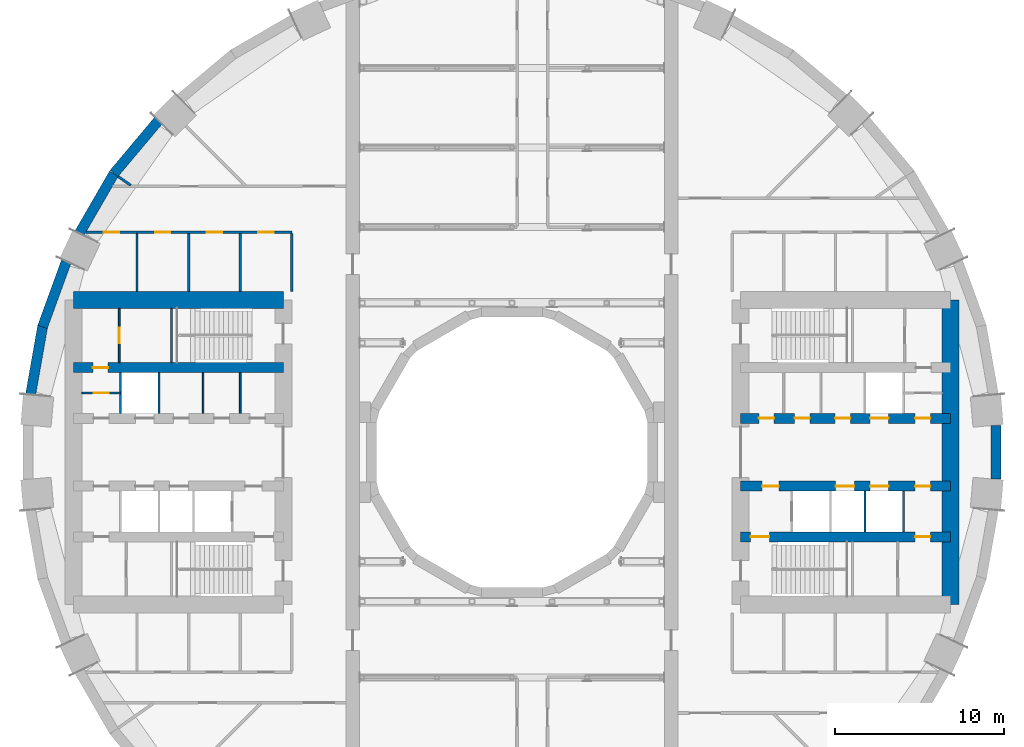
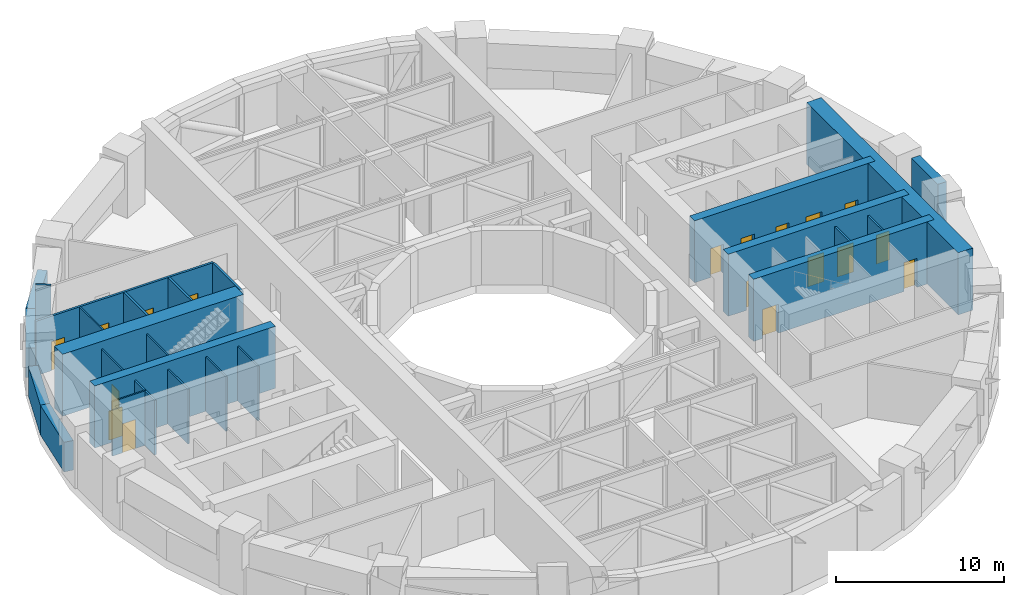
# One storey, part 16 of 21: 26 walls, 18 doors, 18 openings.
"""IFC4 building model written with IfcOpenShell, lengths in metres."""

from ifc_helpers import new_model, si_unit, direction, frame, frame_2d, origin, place, context, subcontext, project, spatial, rectangle, extrude, material, layer, layer_set, type_object, element, fill, save


model = new_model("IFC4")

# Units and contexts
model_context = context("Model", 3, precision=1e-05, world=origin(), true_north=direction((0.0, 1.0)))
body_context = subcontext(model_context, "Body", "Model", "MODEL_VIEW")
ifc_project = project(units=[si_unit("LENGTHUNIT", "METRE"), si_unit("AREAUNIT", "SQUARE_METRE"), si_unit("VOLUMEUNIT", "CUBIC_METRE"), si_unit("PLANEANGLEUNIT", "RADIAN"), si_unit("MASSUNIT", "GRAM", prefix="KILO")], contexts=[model_context])

# Site, building, storey
site_placement = place(None, origin())
site = spatial("IfcSite", under=ifc_project, at=site_placement, CompositionType="ELEMENT")
building_placement = place(site_placement, origin())
building = spatial("IfcBuilding", under=site, at=building_placement, Name="Saqina Gate Tower", CompositionType="ELEMENT")
storey_placement = place(building_placement, frame((0.0, 0.0, 21.800048828125)))
storey = spatial("IfcBuildingStorey", under=building, at=storey_placement, Name="L05", CompositionType="ELEMENT", Elevation=21.800048828125)

# Walls
ifc_material_1 = material(Name="Gypsum board on steel studs", Category="steel")
ifc_layer_1 = layer(ifc_material_1, 0.10009765625)
ifc_layer_set_1 = layer_set([ifc_layer_1], Name="CORE PARTITION")
wall_type_1 = type_object("IfcWallType", Name="CORE PARTITION", PredefinedType="PARTITIONING", material=ifc_layer_set_1)
for number, where, z_axis, x_axis, name in (
    (1, (-16.052001953125, 2.300048828125, 0.0), (0.0, 0.0, 1.0), (0.0, 1.0, 0.0), "L05-CP-W01"),
    (2, (-18.24072265625, 2.300048828125, 0.0), (0.0, 0.0, 1.0), (0.0, 1.0, 0.0), "L05-CP-W02"),
):
    element("IfcWall", number, at=place(storey_placement, frame(where, z_axis=z_axis, x_axis=x_axis)), inside=storey, type_object=wall_type_1, Name=name, PredefinedType="PARTITIONING", context=body_context, shape_type="SweptSolid", body=[
        extrude(rectangle(XDim=2.39990234375, YDim=0.10009765625, at=frame_2d((1.199951171875, 0.0))), origin(), (0.0, 0.0, 1.0), 3.949951171875),
    ])

# Wall, opening, door
wall_1_placement = place(storey_placement, frame((-23.1201171875, 3.5, 0.0), z_axis=(0.0, 0.0, 1.0), x_axis=(-1.0, 0.0, 0.0)))
wall_1 = element("IfcWall", 3, at=wall_1_placement, inside=storey, type_object=wall_type_1, Name="L05-CP-W09", PredefinedType="PARTITIONING", context=body_context, shape_type="SweptSolid", body=[
    extrude(rectangle(XDim=2.27978515625, YDim=0.10009765625, at=frame_2d((1.139892578125, 0.0))), origin(), (0.0, 0.0, 1.0), 3.949951171875),
])
opening_1_placement = place(wall_1_placement, frame((0.68994140625, 0.0, 0.0)))
opening_1 = element("IfcOpeningElement", 4, at=opening_1_placement, cuts=wall_1, Name="Opening L05-D111", PredefinedType="OPENING", context=body_context, shape_type="SweptSolid", body=[
    extrude(rectangle(XDim=0.89990234375, YDim=2.10009765625, at=frame_2d((0.449951171875, 1.050048828125))), frame((0.0, 0.06201171875, 0.0), z_axis=(0.0, -1.0, 0.0), x_axis=(1.0, 0.0, 0.0)), (0.0, 0.0, 1.0), 0.1240234375),
])
ifc_material_2 = material(Name="Steel-framed fire door leaf, EI 60", Category="steel")
door_type_1 = type_object("IfcDoorType", Name="SERVICE ROOM DOOR 900", OperationType="SINGLE_SWING_LEFT", PredefinedType="DOOR", material=ifc_material_2)
door_1_placement = place(opening_1_placement, frame((0.89990234375, 0.0, 0.0), z_axis=(0.0, 0.0, 1.0), x_axis=(-1.0, 0.0, 0.0)))
door_1 = element("IfcDoor", 5, at=door_1_placement, inside=storey, type_object=door_type_1, Name="L05-CD-W22", OperationType="SINGLE_SWING_LEFT", OverallHeight=2.10009765625, OverallWidth=0.89990234375, PredefinedType="DOOR", context=body_context, shape_type="SweptSolid", body=[
    extrude(rectangle(XDim=0.89990234375, YDim=2.10009765625, at=frame_2d((0.449951171875, 1.050048828125))), frame((0.0, 0.02490234375, 0.0), z_axis=(0.0, -1.0, 0.0), x_axis=(1.0, 0.0, 0.0)), (0.0, 0.0, 1.0), 0.050048828125),
])
fill(opening_1, door_1)

wall_2_placement = place(storey_placement, frame((-23.19921875, 5.300048828125, 0.0), z_axis=(0.0, 0.0, 1.0), x_axis=(0.0, 1.0, 0.0)))
wall_2 = element("IfcWall", 6, at=wall_2_placement, inside=storey, type_object=wall_type_1, Name="L05-CP-W11", PredefinedType="PARTITIONING", context=body_context, shape_type="SweptSolid", body=[
    extrude(rectangle(XDim=3.199951171875, YDim=0.10009765625, at=frame_2d((1.60009765625, 0.0))), origin(), (0.0, 0.0, 1.0), 3.949951171875),
])
opening_2_placement = place(wall_2_placement, frame((1.14990234375, 0.0, 0.0)))
opening_2 = element("IfcOpeningElement", 7, at=opening_2_placement, cuts=wall_2, Name="Opening L05-D112", PredefinedType="OPENING", context=body_context, shape_type="SweptSolid", body=[
    extrude(rectangle(XDim=0.89990234375, YDim=2.10009765625, at=frame_2d((0.449951171875, 1.050048828125))), frame((0.0, 0.06201171875, 0.0), z_axis=(0.0, -1.0, 0.0), x_axis=(1.0, 0.0, 0.0)), (0.0, 0.0, 1.0), 0.1240234375),
])
door_2_placement = place(opening_2_placement, frame((0.89990234375, 0.0, 0.0), z_axis=(0.0, 0.0, 1.0), x_axis=(-1.0, 0.0, 0.0)))
door_2 = element("IfcDoor", 8, at=door_2_placement, inside=storey, type_object=door_type_1, Name="L05-CD-W23", OperationType="SINGLE_SWING_RIGHT", OverallHeight=2.10009765625, OverallWidth=0.89990234375, PredefinedType="DOOR", context=body_context, shape_type="SweptSolid", body=[
    extrude(rectangle(XDim=0.89990234375, YDim=2.10009765625, at=frame_2d((0.449951171875, 1.050048828125))), frame((0.0, 0.02490234375, 0.0), z_axis=(0.0, -1.0, 0.0), x_axis=(1.0, 0.0, 0.0)), (0.0, 0.0, 1.0), 0.050048828125),
])
fill(opening_2, door_2)

# Walls
ifc_material_3 = material(Name="Brick masonry (red)", Category="masonry")
ifc_layer_2 = layer(ifc_material_3, 0.60009765625)
ifc_layer_set_2 = layer_set([ifc_layer_2], Name="FW-BRICK-RED")
wall_type_2 = type_object("IfcWallType", Name="FW-BRICK-RED", PredefinedType="SOLIDWALL", material=ifc_layer_set_2)
wall_3_placement = place(storey_placement, frame((-20.890625, 19.5810546875, 0.0), z_axis=(0.0, 0.0, 1.0), x_axis=(-0.642800844336, -0.766033337734, 0.0)))
element("IfcWall", 9, at=wall_3_placement, inside=storey, type_object=wall_type_2, Name="Facade wall L05 facet 14", PredefinedType="SOLIDWALL", context=body_context, shape_type="SweptSolid", body=[
    extrude(rectangle(XDim=4.0693359375, YDim=0.60009765625, at=frame_2d((2.03466796875, 0.0))), origin(), (0.0, 0.0, 1.0), 2.14990234375),
])
wall_4_placement = place(storey_placement, frame((-23.510498046875, 16.457763671875, 0.0), z_axis=(0.0, 0.0, 1.0), x_axis=(-0.500023678693, -0.866011732453, 0.0)))
element("IfcWall", 10, at=wall_4_placement, inside=storey, type_object=wall_type_2, Name="Facade wall L05 facet 15", PredefinedType="SOLIDWALL", context=body_context, shape_type="SweptSolid", body=[
    extrude(rectangle(XDim=4.069091796875, YDim=0.60009765625, at=frame_2d((2.03466796875, 0.0))), origin(), (0.0, 0.0, 1.0), 2.14990234375),
])
ifc_material_4 = material(Name="Glazed ceramic tile", Category="ceramic")
ifc_layer_3 = layer(ifc_material_4, 0.60009765625)
ifc_layer_set_3 = layer_set([ifc_layer_3], Name="FW-TILE")
wall_type_3 = type_object("IfcWallType", Name="FW-TILE", PredefinedType="SOLIDWALL", material=ifc_layer_set_3)
wall_5_placement = place(storey_placement, frame((-26.327880859375, 11.255126953125, 0.0), z_axis=(0.0, 0.0, 1.0), x_axis=(-0.342034744565, -0.939687306241, 0.0)))
element("IfcWall", 11, at=wall_5_placement, inside=storey, type_object=wall_type_3, Name="Facade wall L05 facet 16", PredefinedType="SOLIDWALL", context=body_context, shape_type="SweptSolid", body=[
    extrude(rectangle(XDim=4.099365234375, YDim=0.60009765625, at=frame_2d((2.0498046875, 0.0))), origin(), (0.0, 0.0, 1.0), 2.14990234375),
])
wall_6_placement = place(storey_placement, frame((28.589599609375, -1.571533203125, 0.0), z_axis=(0.0, 0.0, 1.0), x_axis=(0.0, 1.0, 0.0)))
element("IfcWall", 12, at=wall_6_placement, inside=storey, type_object=wall_type_3, Name="Facade wall L05 facet 36", PredefinedType="SOLIDWALL", context=body_context, shape_type="SweptSolid", body=[
    extrude(rectangle(XDim=3.14306640625, YDim=0.60009765625, at=frame_2d((1.571533203125, 0.0))), origin(), (0.0, 0.0, 1.0), 3.949951171875),
])
ifc_material_5 = material(Name="Glazed ceramic tile (dark blue)", Category="ceramic")
ifc_layer_4 = layer(ifc_material_5, 0.60009765625)
ifc_layer_set_4 = layer_set([ifc_layer_4], Name="FW-TILE-CB")
wall_type_4 = type_object("IfcWallType", Name="FW-TILE-CB", PredefinedType="SOLIDWALL", material=ifc_layer_set_4)
wall_7_placement = place(storey_placement, frame((-27.71630859375, 7.45361328125, 0.0), z_axis=(0.0, 0.0, 1.0), x_axis=(-0.173673210505, -0.984803338719, 0.0)))
element("IfcWall", 13, at=wall_7_placement, inside=storey, type_object=wall_type_4, Name="Facade wall L05 facet 17", PredefinedType="SOLIDWALL", context=body_context, shape_type="SweptSolid", body=[
    extrude(rectangle(XDim=4.09912109375, YDim=0.60009765625, at=frame_2d((2.049560546875, 0.0))), origin(), (0.0, 0.0, 1.0), 2.14990234375),
])
ifc_material_6 = material(Name="Autoclaved aerated concrete block", Category="concrete")
ifc_layer_5 = layer(ifc_material_6, 0.1201171875)
ifc_layer_set_5 = layer_set([ifc_layer_5], Name="SHAFT PARTITION")
wall_type_5 = type_object("IfcWallType", Name="SHAFT PARTITION", PredefinedType="PARTITIONING", material=ifc_layer_set_5)
for number, where, z_axis, x_axis, name in (
    (14, (20.840087890625, -4.699951171875, 0.0), (0.0, 0.0, 1.0), (0.0, 1.0, 0.0), "L05-CP-E07"),
    (15, (23.1201171875, -4.699951171875, 0.0), (0.0, 0.0, 1.0), (0.0, 1.0, 0.0), "L05-CP-E08"),
    (16, (-20.840087890625, 2.300048828125, 0.0), (0.0, 0.0, 1.0), (0.0, 1.0, 0.0), "L05-CP-W03"),
    (17, (-23.1201171875, 2.300048828125, 0.0), (0.0, 0.0, 1.0), (0.0, 1.0, 0.0), "L05-CP-W04"),
):
    element("IfcWall", number, at=place(storey_placement, frame(where, z_axis=z_axis, x_axis=x_axis)), inside=storey, type_object=wall_type_5, Name=name, PredefinedType="PARTITIONING", context=body_context, shape_type="SweptSolid", body=[
        extrude(rectangle(XDim=2.39990234375, YDim=0.1201171875, at=frame_2d((1.199951171875, 0.0))), origin(), (0.0, 0.0, 1.0), 3.949951171875),
    ])
ifc_material_7 = material(Name="Gypsum board on steel studs, 100 mm", Category="steel")
ifc_layer_6 = layer(ifc_material_7, 0.10009765625)
ifc_layer_set_6 = layer_set([ifc_layer_6], Name="SPECIAL PARTITION 100")
wall_type_6 = type_object("IfcWallType", Name="SPECIAL PARTITION 100", PredefinedType="PARTITIONING", material=ifc_layer_set_6)
wall_8_placement = place(storey_placement, frame((-22.14990234375, 9.5, 0.0), z_axis=(0.0, 0.0, 1.0), x_axis=(0.0, 1.0, 0.0)))
element("IfcWall", 18, at=wall_8_placement, inside=storey, type_object=wall_type_6, Name="PARTITION 050", PredefinedType="PARTITIONING", context=body_context, shape_type="SweptSolid", body=[
    extrude(rectangle(XDim=3.425048828125, YDim=0.10009765625, at=frame_2d((1.71240234375, 0.0))), origin(), (0.0, 0.0, 1.0), 3.949951171875),
])
ifc_material_8 = material(Name="Masonry block and plaster, 150 mm, fire rated", Category="masonry")
ifc_layer_7 = layer(ifc_material_8, 0.14990234375)
ifc_layer_set_7 = layer_set([ifc_layer_7], Name="SPECIAL PARTITION EI 60 150")
wall_type_7 = type_object("IfcWallType", Name="SPECIAL PARTITION EI 60 150", PredefinedType="PARTITIONING", material=ifc_layer_set_7)
wall_9_placement = place(storey_placement, frame((-23.261962890625, 16.2880859375, 0.0), z_axis=(0.0, 0.0, 1.0), x_axis=(0.819168929577, -0.573552320905, 0.0)))
element("IfcWall", 19, at=wall_9_placement, inside=storey, type_object=wall_type_7, Name="PARTITION 004", PredefinedType="PARTITIONING", context=body_context, shape_type="SweptSolid", body=[
    extrude(rectangle(XDim=0.910400390625, YDim=0.14990234375, at=frame_2d((0.455078125, 0.0))), origin(), (0.0, 0.0, 1.0), 3.949951171875),
])

# Wall, openings, doors
wall_10_placement = place(storey_placement, frame((-25.159912109375, 13.0, 0.0), z_axis=(0.0, 0.0, 1.0), x_axis=(1.0, 0.0, 0.0)))
wall_10 = element("IfcWall", 20, at=wall_10_placement, inside=storey, type_object=wall_type_7, Name="PARTITION 017", PredefinedType="PARTITIONING", context=body_context, shape_type="SweptSolid", body=[
    extrude(rectangle(XDim=12.159912109375, YDim=0.14990234375, at=frame_2d((6.080078125, 0.0))), origin(), (0.0, 0.0, 1.0), 3.949951171875),
])
opening_3_placement = place(wall_10_placement, frame((10.18505859375, 0.0, 0.0)))
opening_3 = element("IfcOpeningElement", 21, at=opening_3_placement, cuts=wall_10, Name="Opening L05-D14", PredefinedType="OPENING", context=body_context, shape_type="SweptSolid", body=[
    extrude(rectangle(XDim=0.89990234375, YDim=2.10009765625, at=frame_2d((0.449951171875, 1.050048828125))), frame((0.0, 0.0869140625, 0.0), z_axis=(0.0, -1.0, 0.0), x_axis=(1.0, 0.0, 0.0)), (0.0, 0.0, 1.0), 0.173828125),
])
opening_4_placement = place(wall_10_placement, frame((7.135009765625, 0.0, 0.0)))
opening_4 = element("IfcOpeningElement", 22, at=opening_4_placement, cuts=wall_10, Name="Opening L05-D16", PredefinedType="OPENING", context=body_context, shape_type="SweptSolid", body=[
    extrude(rectangle(XDim=0.89990234375, YDim=2.10009765625, at=frame_2d((0.449951171875, 1.050048828125))), frame((0.0, 0.0869140625, 0.0), z_axis=(0.0, -1.0, 0.0), x_axis=(1.0, 0.0, 0.0)), (0.0, 0.0, 1.0), 0.173828125),
])
opening_5_placement = place(wall_10_placement, frame((4.0849609375, 0.0, 0.0)))
opening_5 = element("IfcOpeningElement", 23, at=opening_5_placement, cuts=wall_10, Name="Opening L05-D17", PredefinedType="OPENING", context=body_context, shape_type="SweptSolid", body=[
    extrude(rectangle(XDim=0.89990234375, YDim=2.10009765625, at=frame_2d((0.449951171875, 1.050048828125))), frame((0.0, 0.0869140625, 0.0), z_axis=(0.0, -1.0, 0.0), x_axis=(1.0, 0.0, 0.0)), (0.0, 0.0, 1.0), 0.173828125),
])
opening_6_placement = place(wall_10_placement, frame((1.054931640625, 0.0, 0.0)))
opening_6 = element("IfcOpeningElement", 24, at=opening_6_placement, cuts=wall_10, Name="Opening L05-D18", PredefinedType="OPENING", context=body_context, shape_type="SweptSolid", body=[
    extrude(rectangle(XDim=0.89990234375, YDim=2.10009765625, at=frame_2d((0.449951171875, 1.050048828125))), frame((0.0, 0.0869140625, 0.0), z_axis=(0.0, -1.0, 0.0), x_axis=(1.0, 0.0, 0.0)), (0.0, 0.0, 1.0), 0.173828125),
])
ifc_material_9 = material(Name="Steel-framed fire door leaf, EI 60", Category="steel")
door_type_2 = type_object("IfcDoorType", Name="SPECIAL DOOR 900 FIRE EI 60", OperationType="SINGLE_SWING_LEFT", PredefinedType="DOOR", material=ifc_material_9)
door_3_placement = place(opening_3_placement, frame((0.89990234375, 0.0, 0.0), z_axis=(0.0, 0.0, 1.0), x_axis=(-1.0, 0.0, 0.0)))
door_3 = element("IfcDoor", 25, at=door_3_placement, inside=storey, type_object=door_type_2, Name="DOOR L05-D14", OperationType="SINGLE_SWING_LEFT", OverallHeight=2.10009765625, OverallWidth=0.89990234375, PredefinedType="DOOR", context=body_context, shape_type="SweptSolid", body=[
    extrude(rectangle(XDim=0.89990234375, YDim=2.10009765625, at=frame_2d((0.449951171875, 1.050048828125))), frame((0.0, 0.02490234375, 0.0), z_axis=(0.0, -1.0, 0.0), x_axis=(1.0, 0.0, 0.0)), (0.0, 0.0, 1.0), 0.050048828125),
])
fill(opening_3, door_3)
door_4_placement = place(opening_4_placement, frame((0.89990234375, 0.0, 0.0), z_axis=(0.0, 0.0, 1.0), x_axis=(-1.0, 0.0, 0.0)))
door_4 = element("IfcDoor", 26, at=door_4_placement, inside=storey, type_object=door_type_2, Name="DOOR L05-D16", OperationType="SINGLE_SWING_LEFT", OverallHeight=2.10009765625, OverallWidth=0.89990234375, PredefinedType="DOOR", context=body_context, shape_type="SweptSolid", body=[
    extrude(rectangle(XDim=0.89990234375, YDim=2.10009765625, at=frame_2d((0.449951171875, 1.050048828125))), frame((0.0, 0.02490234375, 0.0), z_axis=(0.0, -1.0, 0.0), x_axis=(1.0, 0.0, 0.0)), (0.0, 0.0, 1.0), 0.050048828125),
])
fill(opening_4, door_4)
door_5_placement = place(opening_5_placement, frame((0.89990234375, 0.0, 0.0), z_axis=(0.0, 0.0, 1.0), x_axis=(-1.0, 0.0, 0.0)))
door_5 = element("IfcDoor", 27, at=door_5_placement, inside=storey, type_object=door_type_2, Name="DOOR L05-D17", OperationType="SINGLE_SWING_RIGHT", OverallHeight=2.10009765625, OverallWidth=0.89990234375, PredefinedType="DOOR", context=body_context, shape_type="SweptSolid", body=[
    extrude(rectangle(XDim=0.89990234375, YDim=2.10009765625, at=frame_2d((0.449951171875, 1.050048828125))), frame((0.0, 0.02490234375, 0.0), z_axis=(0.0, -1.0, 0.0), x_axis=(1.0, 0.0, 0.0)), (0.0, 0.0, 1.0), 0.050048828125),
])
fill(opening_5, door_5)
door_6_placement = place(opening_6_placement, frame((0.89990234375, 0.0, 0.0), z_axis=(0.0, 0.0, 1.0), x_axis=(-1.0, 0.0, 0.0)))
door_6 = element("IfcDoor", 28, at=door_6_placement, inside=storey, type_object=door_type_2, Name="DOOR L05-D18", OperationType="SINGLE_SWING_RIGHT", OverallHeight=2.10009765625, OverallWidth=0.89990234375, PredefinedType="DOOR", context=body_context, shape_type="SweptSolid", body=[
    extrude(rectangle(XDim=0.89990234375, YDim=2.10009765625, at=frame_2d((0.449951171875, 1.050048828125))), frame((0.0, 0.02490234375, 0.0), z_axis=(0.0, -1.0, 0.0), x_axis=(1.0, 0.0, 0.0)), (0.0, 0.0, 1.0), 0.050048828125),
])
fill(opening_6, door_6)

# Walls
for number, where, z_axis, x_axis, name in (
    (29, (-13.0, 9.5, 0.0), (0.0, 0.0, 1.0), (0.0, 1.0, 0.0), "PARTITION 044"),
    (30, (-16.050048828125, 9.5, 0.0), (0.0, 0.0, 1.0), (0.0, 1.0, 0.0), "PARTITION 046"),
    (31, (-19.10009765625, 9.5, 0.0), (0.0, 0.0, 1.0), (0.0, 1.0, 0.0), "PARTITION 048"),
):
    element("IfcWall", number, at=place(storey_placement, frame(where, z_axis=z_axis, x_axis=x_axis)), inside=storey, type_object=wall_type_7, Name=name, PredefinedType="PARTITIONING", context=body_context, shape_type="SweptSolid", body=[
        extrude(rectangle(XDim=3.425048828125, YDim=0.14990234375, at=frame_2d((1.71240234375, 0.0))), origin(), (0.0, 0.0, 1.0), 3.949951171875),
    ])
ifc_material_10 = material(Name="Autoclaved aerated concrete block", Category="concrete")
ifc_layer_8 = layer(ifc_material_10, 0.10009765625)
ifc_layer_set_8 = layer_set([ifc_layer_8], Name="STAIR ENCLOSURE WALL")
wall_type_8 = type_object("IfcWallType", Name="STAIR ENCLOSURE WALL", PredefinedType="PARTITIONING", material=ifc_layer_set_8)
wall_11_placement = place(storey_placement, frame((-20.110107421875, 5.300048828125, 0.0), z_axis=(0.0, 0.0, 1.0), x_axis=(0.0, 1.0, 0.0)))
element("IfcWall", 32, at=wall_11_placement, inside=storey, type_object=wall_type_8, Name="L05-CP-W10", PredefinedType="PARTITIONING", context=body_context, shape_type="SweptSolid", body=[
    extrude(rectangle(XDim=3.199951171875, YDim=0.10009765625, at=frame_2d((1.60009765625, 0.0))), origin(), (0.0, 0.0, 1.0), 3.949951171875),
])

# Wall, openings, doors
ifc_material_11 = material(Name="Concrete C70/85", Category="concrete")
ifc_layer_9 = layer(ifc_material_11, 0.60009765625)
ifc_layer_set_9 = layer_set([ifc_layer_9], Name="Concrete C70/85")
wall_type_9 = type_object("IfcWallType", Name="STR-CORE WALL-P-I", PredefinedType="SHEAR", material=ifc_layer_set_9)
wall_12_placement = place(storey_placement, frame((13.5, -5.0, 0.0), z_axis=(0.0, 0.0, 1.0), x_axis=(1.0, 0.0, 0.0)))
wall_12 = element("IfcWall", 33, at=wall_12_placement, inside=storey, type_object=wall_type_9, Name="CORE WALL L05 E-X2", PredefinedType="SHEAR", context=body_context, shape_type="SweptSolid", body=[
    extrude(rectangle(XDim=12.39990234375, YDim=0.60009765625, at=frame_2d((6.199951171875, 0.0))), origin(), (0.0, 0.0, 1.0), 4.5),
])
opening_7_placement = place(wall_12_placement, frame((10.31005859375, 0.0, 0.0)))
opening_7 = element("IfcOpeningElement", 34, at=opening_7_placement, cuts=wall_12, Name="Opening L05-D100", PredefinedType="OPENING", context=body_context, shape_type="SweptSolid", body=[
    extrude(rectangle(XDim=0.89990234375, YDim=2.10009765625, at=frame_2d((0.449951171875, 1.050048828125))), frame((0.0, 0.31201171875, 0.0), z_axis=(0.0, -1.0, 0.0), x_axis=(1.0, 0.0, 0.0)), (0.0, 0.0, 1.0), 0.6240234375),
])
opening_8_placement = place(wall_12_placement, frame((0.60009765625, 0.0, 0.0)))
opening_8 = element("IfcOpeningElement", 35, at=opening_8_placement, cuts=wall_12, Name="Opening L05-D101", PredefinedType="OPENING", context=body_context, shape_type="SweptSolid", body=[
    extrude(rectangle(XDim=1.10009765625, YDim=2.10009765625, at=frame_2d((0.550048828125, 1.050048828125))), frame((0.0, 0.31201171875, 0.0), z_axis=(0.0, -1.0, 0.0), x_axis=(1.0, 0.0, 0.0)), (0.0, 0.0, 1.0), 0.6240234375),
])
ifc_material_12 = material(Name="Steel", Category="steel")
door_type_3 = type_object("IfcDoorType", Name="FIRE LOBBY DOOR EI 60 WIDE", OperationType="SINGLE_SWING_LEFT", PredefinedType="DOOR", material=ifc_material_12)
door_7_placement = place(opening_8_placement, frame((1.10009765625, 0.0, 0.0), z_axis=(0.0, 0.0, 1.0), x_axis=(-1.0, 0.0, 0.0)))
door_7 = element("IfcDoor", 36, at=door_7_placement, inside=storey, type_object=door_type_3, Name="L05-CD-E12", OperationType="SINGLE_SWING_RIGHT", OverallHeight=2.10009765625, OverallWidth=1.10009765625, PredefinedType="DOOR", context=body_context, shape_type="SweptSolid", body=[
    extrude(rectangle(XDim=1.10009765625, YDim=2.10009765625, at=frame_2d((0.550048828125, 1.050048828125))), frame((0.0, 0.02490234375, 0.0), z_axis=(0.0, -1.0, 0.0), x_axis=(1.0, 0.0, 0.0)), (0.0, 0.0, 1.0), 0.050048828125),
])
fill(opening_8, door_7)
door_8_placement = place(opening_7_placement, frame((0.89990234375, 0.0, 0.0), z_axis=(0.0, 0.0, 1.0), x_axis=(-1.0, 0.0, 0.0)))
door_8 = element("IfcDoor", 37, at=door_8_placement, inside=storey, type_object=door_type_1, Name="L05-CD-E11", OperationType="SINGLE_SWING_LEFT", OverallHeight=2.10009765625, OverallWidth=0.89990234375, PredefinedType="DOOR", context=body_context, shape_type="SweptSolid", body=[
    extrude(rectangle(XDim=0.89990234375, YDim=2.10009765625, at=frame_2d((0.449951171875, 1.050048828125))), frame((0.0, 0.02490234375, 0.0), z_axis=(0.0, -1.0, 0.0), x_axis=(1.0, 0.0, 0.0)), (0.0, 0.0, 1.0), 0.050048828125),
])
fill(opening_7, door_8)

wall_13_placement = place(storey_placement, frame((13.5, 2.0, 0.0), z_axis=(0.0, 0.0, 1.0), x_axis=(1.0, 0.0, 0.0)))
wall_13 = element("IfcWall", 38, at=wall_13_placement, inside=storey, type_object=wall_type_9, Name="CORE WALL L05 E-L1", PredefinedType="SHEAR", context=body_context, shape_type="SweptSolid", body=[
    extrude(rectangle(XDim=12.39990234375, YDim=0.60009765625, at=frame_2d((6.199951171875, 0.0))), origin(), (0.0, 0.0, 1.0), 4.5),
])
opening_9_placement = place(wall_13_placement, frame((7.64990234375, 0.0, 0.0)))
opening_9 = element("IfcOpeningElement", 39, at=opening_9_placement, cuts=wall_13, Name="Opening L05-LD1", PredefinedType="OPENING", context=body_context, shape_type="SweptSolid", body=[
    extrude(rectangle(XDim=1.10009765625, YDim=2.10009765625, at=frame_2d((0.550048828125, 1.050048828125))), frame((0.0, 0.31201171875, 0.0), z_axis=(0.0, -1.0, 0.0), x_axis=(1.0, 0.0, 0.0)), (0.0, 0.0, 1.0), 0.6240234375),
])
opening_10_placement = place(wall_13_placement, frame((1.075927734375, 0.0, 0.0)))
opening_10 = element("IfcOpeningElement", 40, at=opening_10_placement, cuts=wall_13, Name="Opening L05-D90", PredefinedType="OPENING", context=body_context, shape_type="SweptSolid", body=[
    extrude(rectangle(XDim=0.89990234375, YDim=2.10009765625, at=frame_2d((0.449951171875, 1.050048828125))), frame((0.0, 0.31201171875, 0.0), z_axis=(0.0, -1.0, 0.0), x_axis=(1.0, 0.0, 0.0)), (0.0, 0.0, 1.0), 0.6240234375),
])
opening_11_placement = place(wall_13_placement, frame((3.1962890625, 0.0, 0.0)))
opening_11 = element("IfcOpeningElement", 41, at=opening_11_placement, cuts=wall_13, Name="Opening L05-D91", PredefinedType="OPENING", context=body_context, shape_type="SweptSolid", body=[
    extrude(rectangle(XDim=0.89990234375, YDim=2.10009765625, at=frame_2d((0.449951171875, 1.050048828125))), frame((0.0, 0.31201171875, 0.0), z_axis=(0.0, -1.0, 0.0), x_axis=(1.0, 0.0, 0.0)), (0.0, 0.0, 1.0), 0.6240234375),
])
opening_12_placement = place(wall_13_placement, frame((5.59033203125, 0.0, 0.0)))
opening_12 = element("IfcOpeningElement", 42, at=opening_12_placement, cuts=wall_13, Name="Opening L05-D92", PredefinedType="OPENING", context=body_context, shape_type="SweptSolid", body=[
    extrude(rectangle(XDim=0.89990234375, YDim=2.10009765625, at=frame_2d((0.449951171875, 1.050048828125))), frame((0.0, 0.31201171875, 0.0), z_axis=(0.0, -1.0, 0.0), x_axis=(1.0, 0.0, 0.0)), (0.0, 0.0, 1.0), 0.6240234375),
])
opening_13_placement = place(wall_13_placement, frame((10.31005859375, 0.0, 0.0)))
opening_13 = element("IfcOpeningElement", 43, at=opening_13_placement, cuts=wall_13, Name="Opening L05-D93", PredefinedType="OPENING", context=body_context, shape_type="SweptSolid", body=[
    extrude(rectangle(XDim=0.89990234375, YDim=2.10009765625, at=frame_2d((0.449951171875, 1.050048828125))), frame((0.0, 0.31201171875, 0.0), z_axis=(0.0, -1.0, 0.0), x_axis=(1.0, 0.0, 0.0)), (0.0, 0.0, 1.0), 0.6240234375),
])
ifc_material_13 = material(Name="Stainless steel", Category="steel")
door_type_4 = type_object("IfcDoorType", Name="LANDING DOOR", OperationType="DOUBLE_DOOR_SLIDING", PredefinedType="DOOR", material=ifc_material_13)
door_9_placement = place(opening_9_placement, origin())
door_9 = element("IfcDoor", 44, at=door_9_placement, inside=storey, type_object=door_type_4, Name="LANDING DOOR LR1", OperationType="DOUBLE_DOOR_SLIDING", OverallHeight=2.10009765625, OverallWidth=1.10009765625, PredefinedType="DOOR", context=body_context, shape_type="SweptSolid", body=[
    extrude(rectangle(XDim=1.10009765625, YDim=2.10009765625, at=frame_2d((0.550048828125, 1.050048828125))), frame((0.0, 0.02490234375, 0.0), z_axis=(0.0, -1.0, 0.0), x_axis=(1.0, 0.0, 0.0)), (0.0, 0.0, 1.0), 0.050048828125),
])
fill(opening_9, door_9)
door_10_placement = place(opening_10_placement, origin())
door_10 = element("IfcDoor", 45, at=door_10_placement, inside=storey, type_object=door_type_1, Name="L05-CD-E01", OperationType="SINGLE_SWING_RIGHT", OverallHeight=2.10009765625, OverallWidth=0.89990234375, PredefinedType="DOOR", context=body_context, shape_type="SweptSolid", body=[
    extrude(rectangle(XDim=0.89990234375, YDim=2.10009765625, at=frame_2d((0.449951171875, 1.050048828125))), frame((0.0, 0.02490234375, 0.0), z_axis=(0.0, -1.0, 0.0), x_axis=(1.0, 0.0, 0.0)), (0.0, 0.0, 1.0), 0.050048828125),
])
fill(opening_10, door_10)
door_11_placement = place(opening_11_placement, origin())
door_11 = element("IfcDoor", 46, at=door_11_placement, inside=storey, type_object=door_type_1, Name="L05-CD-E02", OperationType="SINGLE_SWING_LEFT", OverallHeight=2.10009765625, OverallWidth=0.89990234375, PredefinedType="DOOR", context=body_context, shape_type="SweptSolid", body=[
    extrude(rectangle(XDim=0.89990234375, YDim=2.10009765625, at=frame_2d((0.449951171875, 1.050048828125))), frame((0.0, 0.02490234375, 0.0), z_axis=(0.0, -1.0, 0.0), x_axis=(1.0, 0.0, 0.0)), (0.0, 0.0, 1.0), 0.050048828125),
])
fill(opening_11, door_11)
door_12_placement = place(opening_12_placement, origin())
door_12 = element("IfcDoor", 47, at=door_12_placement, inside=storey, type_object=door_type_1, Name="L05-CD-E03", OperationType="SINGLE_SWING_LEFT", OverallHeight=2.10009765625, OverallWidth=0.89990234375, PredefinedType="DOOR", context=body_context, shape_type="SweptSolid", body=[
    extrude(rectangle(XDim=0.89990234375, YDim=2.10009765625, at=frame_2d((0.449951171875, 1.050048828125))), frame((0.0, 0.02490234375, 0.0), z_axis=(0.0, -1.0, 0.0), x_axis=(1.0, 0.0, 0.0)), (0.0, 0.0, 1.0), 0.050048828125),
])
fill(opening_12, door_12)
door_13_placement = place(opening_13_placement, origin())
door_13 = element("IfcDoor", 48, at=door_13_placement, inside=storey, type_object=door_type_1, Name="L05-CD-E04", OperationType="SINGLE_SWING_RIGHT", OverallHeight=2.10009765625, OverallWidth=0.89990234375, PredefinedType="DOOR", context=body_context, shape_type="SweptSolid", body=[
    extrude(rectangle(XDim=0.89990234375, YDim=2.10009765625, at=frame_2d((0.449951171875, 1.050048828125))), frame((0.0, 0.02490234375, 0.0), z_axis=(0.0, -1.0, 0.0), x_axis=(1.0, 0.0, 0.0)), (0.0, 0.0, 1.0), 0.050048828125),
])
fill(opening_13, door_13)

wall_14_placement = place(storey_placement, frame((13.5, -2.0, 0.0), z_axis=(0.0, 0.0, 1.0), x_axis=(1.0, 0.0, 0.0)))
wall_14 = element("IfcWall", 49, at=wall_14_placement, inside=storey, type_object=wall_type_9, Name="CORE WALL L05 E-L2", PredefinedType="SHEAR", context=body_context, shape_type="SweptSolid", body=[
    extrude(rectangle(XDim=12.39990234375, YDim=0.60009765625, at=frame_2d((6.199951171875, 0.0))), origin(), (0.0, 0.0, 1.0), 4.5),
])
opening_14_placement = place(wall_14_placement, frame((5.6201171875, 0.0, 0.0)))
opening_14 = element("IfcOpeningElement", 50, at=opening_14_placement, cuts=wall_14, Name="Opening L05-LD3", PredefinedType="OPENING", context=body_context, shape_type="SweptSolid", body=[
    extrude(rectangle(XDim=1.10009765625, YDim=2.10009765625, at=frame_2d((0.550048828125, 1.050048828125))), frame((0.0, 0.31201171875, 0.0), z_axis=(0.0, -1.0, 0.0), x_axis=(1.0, 0.0, 0.0)), (0.0, 0.0, 1.0), 0.6240234375),
])
opening_15_placement = place(wall_14_placement, frame((7.64990234375, 0.0, 0.0)))
opening_15 = element("IfcOpeningElement", 51, at=opening_15_placement, cuts=wall_14, Name="Opening L05-LD4", PredefinedType="OPENING", context=body_context, shape_type="SweptSolid", body=[
    extrude(rectangle(XDim=1.10009765625, YDim=2.10009765625, at=frame_2d((0.550048828125, 1.050048828125))), frame((0.0, 0.31201171875, 0.0), z_axis=(0.0, -1.0, 0.0), x_axis=(1.0, 0.0, 0.0)), (0.0, 0.0, 1.0), 0.6240234375),
])
opening_16_placement = place(wall_14_placement, frame((1.264892578125, 0.0, 0.0)))
opening_16 = element("IfcOpeningElement", 52, at=opening_16_placement, cuts=wall_14, Name="Opening L05-D94", PredefinedType="OPENING", context=body_context, shape_type="SweptSolid", body=[
    extrude(rectangle(XDim=1.0, YDim=2.10009765625, at=frame_2d((0.5, 1.050048828125))), frame((0.0, 0.31201171875, 0.0), z_axis=(0.0, -1.0, 0.0), x_axis=(1.0, 0.0, 0.0)), (0.0, 0.0, 1.0), 0.6240234375),
])
opening_17_placement = place(wall_14_placement, frame((10.31005859375, 0.0, 0.0)))
opening_17 = element("IfcOpeningElement", 53, at=opening_17_placement, cuts=wall_14, Name="Opening L05-D95", PredefinedType="OPENING", context=body_context, shape_type="SweptSolid", body=[
    extrude(rectangle(XDim=0.89990234375, YDim=2.10009765625, at=frame_2d((0.449951171875, 1.050048828125))), frame((0.0, 0.31201171875, 0.0), z_axis=(0.0, -1.0, 0.0), x_axis=(1.0, 0.0, 0.0)), (0.0, 0.0, 1.0), 0.6240234375),
])
ifc_material_14 = material(Name="Steel", Category="steel")
door_type_5 = type_object("IfcDoorType", Name="FIRE LOBBY DOOR EI 60", OperationType="SINGLE_SWING_LEFT", PredefinedType="DOOR", material=ifc_material_14)
door_14_placement = place(opening_16_placement, origin())
door_14 = element("IfcDoor", 54, at=door_14_placement, inside=storey, type_object=door_type_5, Name="L05-CD-E05", OperationType="SINGLE_SWING_LEFT", OverallHeight=2.10009765625, OverallWidth=1.0, PredefinedType="DOOR", context=body_context, shape_type="SweptSolid", body=[
    extrude(rectangle(XDim=1.0, YDim=2.10009765625, at=frame_2d((0.5, 1.050048828125))), frame((0.0, 0.02490234375, 0.0), z_axis=(0.0, -1.0, 0.0), x_axis=(1.0, 0.0, 0.0)), (0.0, 0.0, 1.0), 0.050048828125),
])
fill(opening_16, door_14)
door_15_placement = place(opening_14_placement, origin())
door_15 = element("IfcDoor", 55, at=door_15_placement, inside=storey, type_object=door_type_4, Name="LANDING DOOR LR3", OperationType="DOUBLE_DOOR_SLIDING", OverallHeight=2.10009765625, OverallWidth=1.10009765625, PredefinedType="DOOR", context=body_context, shape_type="SweptSolid", body=[
    extrude(rectangle(XDim=1.10009765625, YDim=2.10009765625, at=frame_2d((0.550048828125, 1.050048828125))), frame((0.0, 0.02490234375, 0.0), z_axis=(0.0, -1.0, 0.0), x_axis=(1.0, 0.0, 0.0)), (0.0, 0.0, 1.0), 0.050048828125),
])
fill(opening_14, door_15)
door_16_placement = place(opening_15_placement, origin())
door_16 = element("IfcDoor", 56, at=door_16_placement, inside=storey, type_object=door_type_4, Name="LANDING DOOR LR2", OperationType="DOUBLE_DOOR_SLIDING", OverallHeight=2.10009765625, OverallWidth=1.10009765625, PredefinedType="DOOR", context=body_context, shape_type="SweptSolid", body=[
    extrude(rectangle(XDim=1.10009765625, YDim=2.10009765625, at=frame_2d((0.550048828125, 1.050048828125))), frame((0.0, 0.02490234375, 0.0), z_axis=(0.0, -1.0, 0.0), x_axis=(1.0, 0.0, 0.0)), (0.0, 0.0, 1.0), 0.050048828125),
])
fill(opening_15, door_16)
door_17_placement = place(opening_17_placement, frame((0.89990234375, 0.0, 0.0), z_axis=(0.0, 0.0, 1.0), x_axis=(-1.0, 0.0, 0.0)))
door_17 = element("IfcDoor", 57, at=door_17_placement, inside=storey, type_object=door_type_1, Name="L05-CD-E06", OperationType="SINGLE_SWING_LEFT", OverallHeight=2.10009765625, OverallWidth=0.89990234375, PredefinedType="DOOR", context=body_context, shape_type="SweptSolid", body=[
    extrude(rectangle(XDim=0.89990234375, YDim=2.10009765625, at=frame_2d((0.449951171875, 1.050048828125))), frame((0.0, 0.02490234375, 0.0), z_axis=(0.0, -1.0, 0.0), x_axis=(1.0, 0.0, 0.0)), (0.0, 0.0, 1.0), 0.050048828125),
])
fill(opening_17, door_17)

# Wall, opening, door
wall_15_placement = place(storey_placement, frame((-13.5, 5.0, 0.0), z_axis=(0.0, 0.0, 1.0), x_axis=(-1.0, 0.0, 0.0)))
wall_15 = element("IfcWall", 58, at=wall_15_placement, inside=storey, type_object=wall_type_9, Name="CORE WALL L05 W-X1", PredefinedType="SHEAR", context=body_context, shape_type="SweptSolid", body=[
    extrude(rectangle(XDim=12.39990234375, YDim=0.60009765625, at=frame_2d((6.199951171875, 0.0))), origin(), (0.0, 0.0, 1.0), 4.5),
])
opening_18_placement = place(wall_15_placement, frame((10.349609375, 0.0, 0.0)))
opening_18 = element("IfcOpeningElement", 59, at=opening_18_placement, cuts=wall_15, Name="Opening L05-D113", PredefinedType="OPENING", context=body_context, shape_type="SweptSolid", body=[
    extrude(rectangle(XDim=0.89990234375, YDim=2.10009765625, at=frame_2d((0.449951171875, 1.050048828125))), frame((0.0, 0.31201171875, 0.0), z_axis=(0.0, -1.0, 0.0), x_axis=(1.0, 0.0, 0.0)), (0.0, 0.0, 1.0), 0.6240234375),
])
door_18_placement = place(opening_18_placement, frame((0.89990234375, 0.0, 0.0), z_axis=(0.0, 0.0, 1.0), x_axis=(-1.0, 0.0, 0.0)))
door_18 = element("IfcDoor", 60, at=door_18_placement, inside=storey, type_object=door_type_1, Name="L05-CD-W24", OperationType="SINGLE_SWING_LEFT", OverallHeight=2.10009765625, OverallWidth=0.89990234375, PredefinedType="DOOR", context=body_context, shape_type="SweptSolid", body=[
    extrude(rectangle(XDim=0.89990234375, YDim=2.10009765625, at=frame_2d((0.449951171875, 1.050048828125))), frame((0.0, 0.02490234375, 0.0), z_axis=(0.0, -1.0, 0.0), x_axis=(1.0, 0.0, 0.0)), (0.0, 0.0, 1.0), 0.050048828125),
])
fill(opening_18, door_18)

# Walls
ifc_material_15 = material(Name="Concrete C70/85", Category="concrete")
ifc_layer_10 = layer(ifc_material_15, 1.0)
ifc_layer_set_10 = layer_set([ifc_layer_10], Name="Concrete C70/85")
wall_type_10 = type_object("IfcWallType", Name="STR-CORE WALL-P-O", PredefinedType="SHEAR", material=ifc_layer_set_10)
wall_16_placement = place(storey_placement, frame((25.89990234375, -9.0, 0.0), z_axis=(0.0, 0.0, 1.0), x_axis=(0.0, 1.0, 0.0)))
element("IfcWall", 61, at=wall_16_placement, inside=storey, type_object=wall_type_10, Name="CORE WALL L05 E-W2", PredefinedType="SHEAR", context=body_context, shape_type="SweptSolid", body=[
    extrude(rectangle(XDim=18.0, YDim=1.0, at=frame_2d((9.0, 0.0))), origin(), (0.0, 0.0, 1.0), 4.5),
])
wall_17_placement = place(storey_placement, frame((-13.5, 9.0, 0.0), z_axis=(0.0, 0.0, 1.0), x_axis=(-1.0, 0.0, 0.0)))
element("IfcWall", 62, at=wall_17_placement, inside=storey, type_object=wall_type_10, Name="CORE WALL L05 W-NE", PredefinedType="SHEAR", context=body_context, shape_type="SweptSolid", body=[
    extrude(rectangle(XDim=12.39990234375, YDim=1.0, at=frame_2d((6.199951171875, 0.0))), origin(), (0.0, 0.0, 1.0), 4.5),
])

save(model, "model.ifc")
